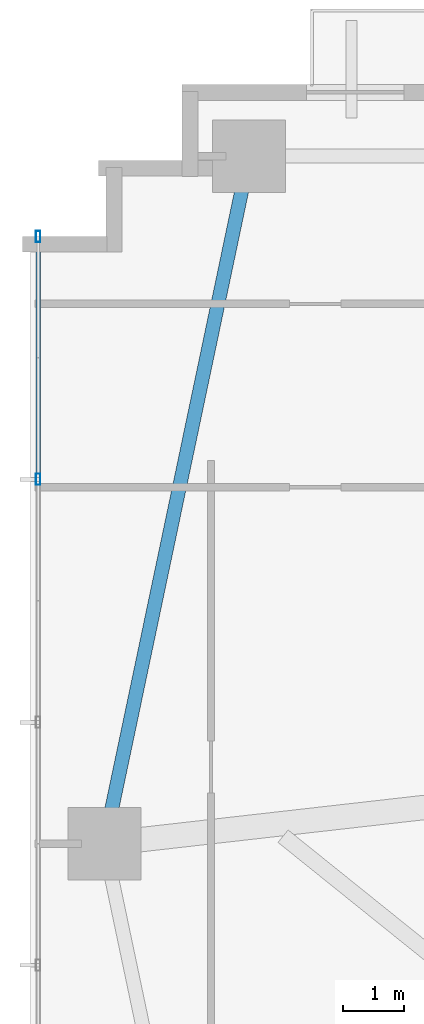
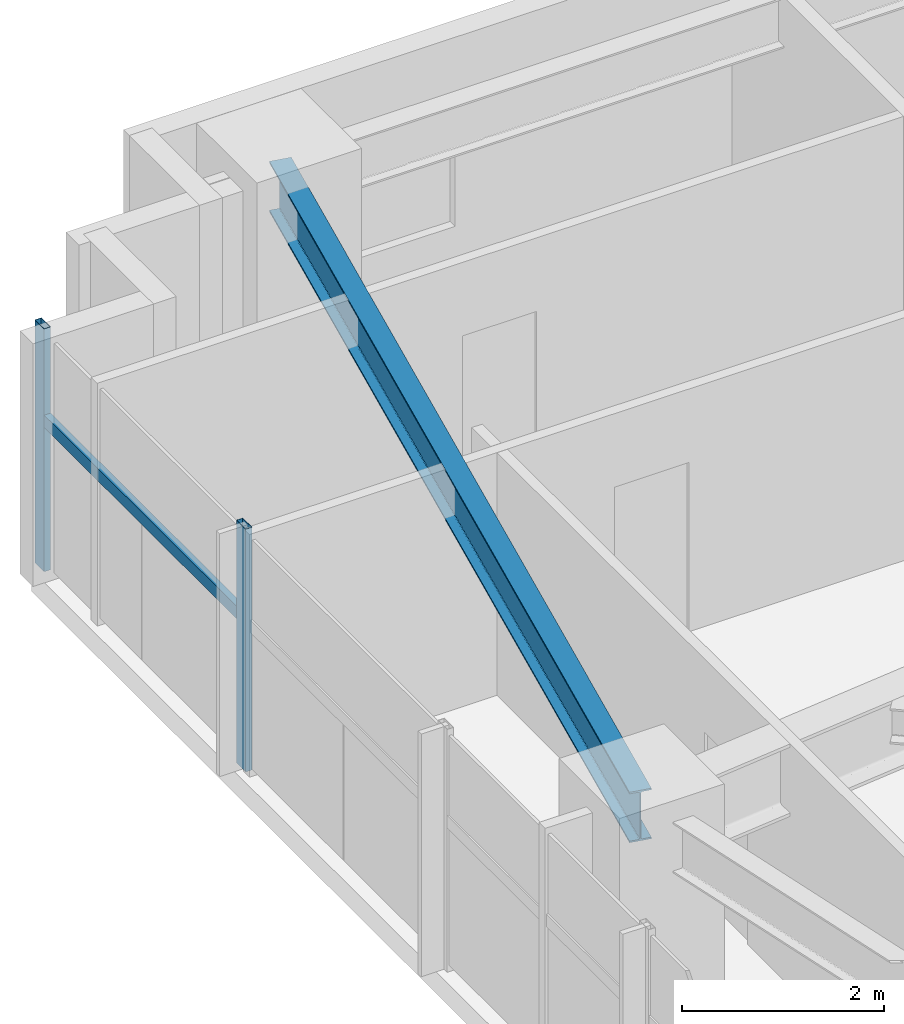
# One storey, part 8 of 25: 3 members, 1 beam, 1 element without a shape of its own.
"""IFC4 building model written with IfcOpenShell, lengths in metres."""

from ifc_helpers import new_model, si_unit, direction, frame, origin, origin_2d, place, context, subcontext, project, spatial, hollow_rectangle, i_section, extrude, source, transform, mapped, material, material_profile, profile_set, type_object, type_shapes, element, aggregate, save


model = new_model("IFC4")

# Units and contexts
model_context = context("Model", 3, precision=1e-05, world=origin(), true_north=direction((0.0, 1.0)))
body_context = subcontext(model_context, "Body", "Model", "MODEL_VIEW")
ifc_project = project(units=[si_unit("LENGTHUNIT", "METRE"), si_unit("AREAUNIT", "SQUARE_METRE"), si_unit("VOLUMEUNIT", "CUBIC_METRE"), si_unit("PLANEANGLEUNIT", "RADIAN"), si_unit("MASSUNIT", "GRAM", prefix="KILO")], contexts=[model_context])

# Site, building, storey
site_placement = place(None, origin())
site = spatial("IfcSite", under=ifc_project, at=site_placement, CompositionType="ELEMENT")
building_placement = place(site_placement, origin())
building = spatial("IfcBuilding", under=site, at=building_placement, Name="Astriad Promenade Condominiums", CompositionType="ELEMENT")
storey_placement = place(building_placement, frame((0.0, 0.0, 45.39990234375)))
storey = spatial("IfcBuildingStorey", under=building, at=storey_placement, Name="L12", CompositionType="ELEMENT", Elevation=45.39990234375)

# Beam
ifc_material_1 = material(Name="Steel ASTM A992 Grade 50", Category="steel")
ifc_material_profile_1 = material_profile(ifc_material_1, i_section(OverallWidth=0.22900390625, OverallDepth=0.612060546875, WebThickness=0.011962890625, FlangeThickness=0.01953125, FilletRadius=0.017822265625, at=origin_2d()), Name="W24X84")
ifc_profile_set_1 = profile_set([ifc_material_profile_1], Name="Steel ASTM A992 Grade 50")
beam_type = type_object("IfcBeamType", Name="STEEL SPANDREL BEAM W24X84", PredefinedType="SPANDREL", material=ifc_profile_set_1)
shared_shape_1 = source(origin(), body_context, "Body", "SweptSolid", [
    extrude(i_section(OverallWidth=0.22900390625, OverallDepth=0.612060546875, WebThickness=0.011962890625, FlangeThickness=0.01953125, FilletRadius=0.017822265625, at=origin_2d()), origin(), (0.0, 0.0, 1.0), 11.48779296875),
])
type_shapes(beam_type, [shared_shape_1])
beam_placement = place(storey_placement, frame((9.391845703125, 26.48095703125, 2.634033203125), z_axis=(-0.205743776427, -0.978605895374, 0.0), x_axis=(0.978605895374, -0.205743776427, 0.0)))
element("IfcBeam", 1, at=beam_placement, inside=storey, type_object=beam_type, Name="Perimeter Spandrel Beam SP-W2-L12", PredefinedType="SPANDREL", context=body_context, shape_type="MappedRepresentation", body=[
    mapped(shared_shape_1, transform((0.0, 0.0, 0.0), scale=1.0)),
])

# Curtain wall, members
ifc_material_2 = material(Name="Anodised aluminium Black Dark Glass Unitised", Category="aluminium")
curtain_wall_type = type_object("IfcCurtainWallType", Name="CW-B1-DARK", PredefinedType="USERDEFINED", material=ifc_material_2)
curtain_wall_placement = place(storey_placement, origin())
curtain_wall = element("IfcCurtainWall", 2, at=curtain_wall_placement, inside=storey, type_object=curtain_wall_type, Name="CW-L12-W", ObjectType="UNITISED_CURTAIN_WALL", PredefinedType="USERDEFINED")
ifc_material_3 = material(Name="Anodised aluminium 6063-T6 Black", Category="aluminium")
ifc_material_profile_2 = material_profile(ifc_material_3, hollow_rectangle(XDim=0.074951171875, YDim=0.14990234375, WallThickness=0.004150390625, at=origin_2d()), Name="ALU-TRN-75X150")
ifc_profile_set_2 = profile_set([ifc_material_profile_2], Name="Anodised aluminium 6063-T6 Black")
member_type_1 = type_object("IfcMemberType", Name="TRN-ALU-TRN-75X150", PredefinedType="USERDEFINED", material=ifc_profile_set_2)
shared_shape_2 = source(origin(), body_context, "Body", "SweptSolid", [
    extrude(hollow_rectangle(XDim=0.074951171875, YDim=0.14990234375, WallThickness=0.004150390625, at=origin_2d()), origin(), (0.0, 0.0, 1.0), 4.0),
])
type_shapes(member_type_1, [shared_shape_2])
member_1_placement = place(storey_placement, frame((5.929931640625, 21.199951171875, 1.822998046875), z_axis=(0.0, 1.0, 0.0), x_axis=(-1.0, 0.0, 0.0)))
member_1 = element("IfcMember", 3, at=member_1_placement, type_object=member_type_1, Name="CW-L12-W-TRN-04-0", ObjectType="TRANSOM", PredefinedType="USERDEFINED", context=body_context, shape_type="MappedRepresentation", body=[
    mapped(shared_shape_2, transform((0.0, 0.0, 0.0), scale=1.0)),
])
ifc_material_profile_3 = material_profile(ifc_material_3, hollow_rectangle(XDim=0.074951171875, YDim=0.18505859375, WallThickness=0.00439453125, at=origin_2d()), Name="ALU-MUL-75X185")
ifc_profile_set_3 = profile_set([ifc_material_profile_3], Name="Anodised aluminium 6063-T6 Black")
member_type_2 = type_object("IfcMemberType", Name="MUL-ALU-MUL-75X185", PredefinedType="MULLION", material=ifc_profile_set_3)
shared_shape_3 = source(origin(), body_context, "Body", "SweptSolid", [
    extrude(hollow_rectangle(XDim=0.074951171875, YDim=0.18505859375, WallThickness=0.00439453125, at=origin_2d()), origin(), (0.0, 0.0, 1.0), 2.940185546875),
])
type_shapes(member_type_2, [shared_shape_3])
member_2_placement = place(storey_placement, frame((5.929931640625, 21.199951171875, 0.0), z_axis=(0.0, 0.0, 1.0), x_axis=(1.0, 0.0, 0.0)))
member_2 = element("IfcMember", 4, at=member_2_placement, type_object=member_type_2, Name="CW-L12-W-MUL-04", PredefinedType="MULLION", context=body_context, shape_type="MappedRepresentation", body=[
    mapped(shared_shape_3, transform((0.0, 0.0, 0.0), scale=1.0)),
])
member_3_placement = place(storey_placement, frame((5.929931640625, 25.199951171875, 0.0), z_axis=(0.0, 0.0, 1.0), x_axis=(1.0, 0.0, 0.0)))
member_3 = element("IfcMember", 5, at=member_3_placement, type_object=member_type_2, Name="CW-L12-W-MUL-05", PredefinedType="MULLION", context=body_context, shape_type="MappedRepresentation", body=[
    mapped(shared_shape_3, transform((0.0, 0.0, 0.0), scale=1.0)),
])
aggregate(curtain_wall, [member_2, member_3, member_1])

save(model, "model.ifc")
